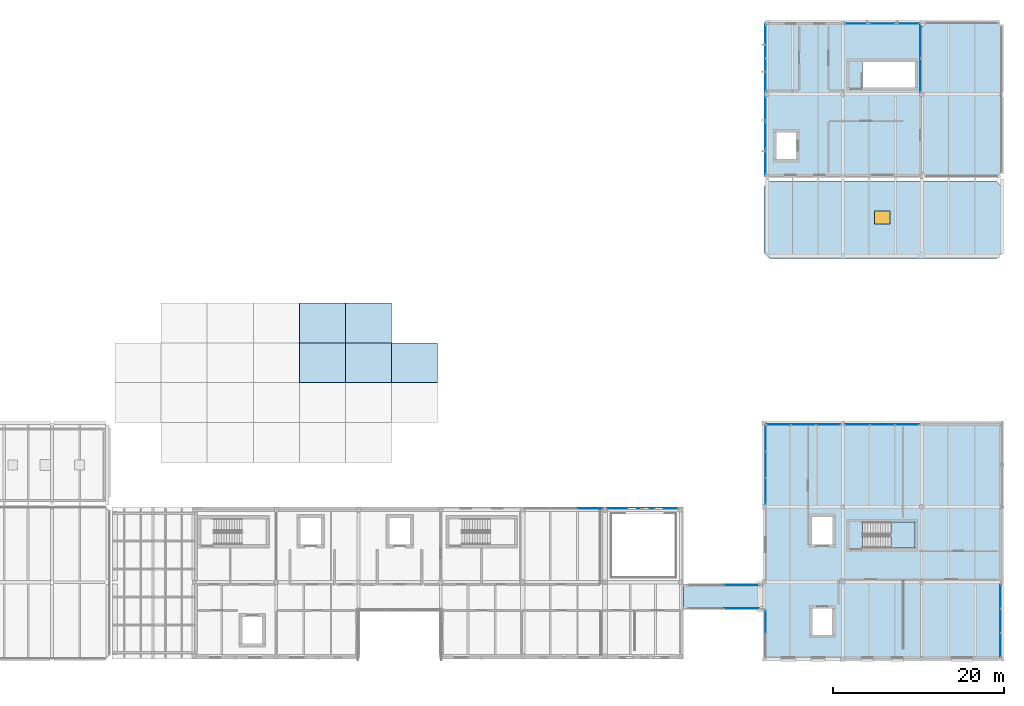
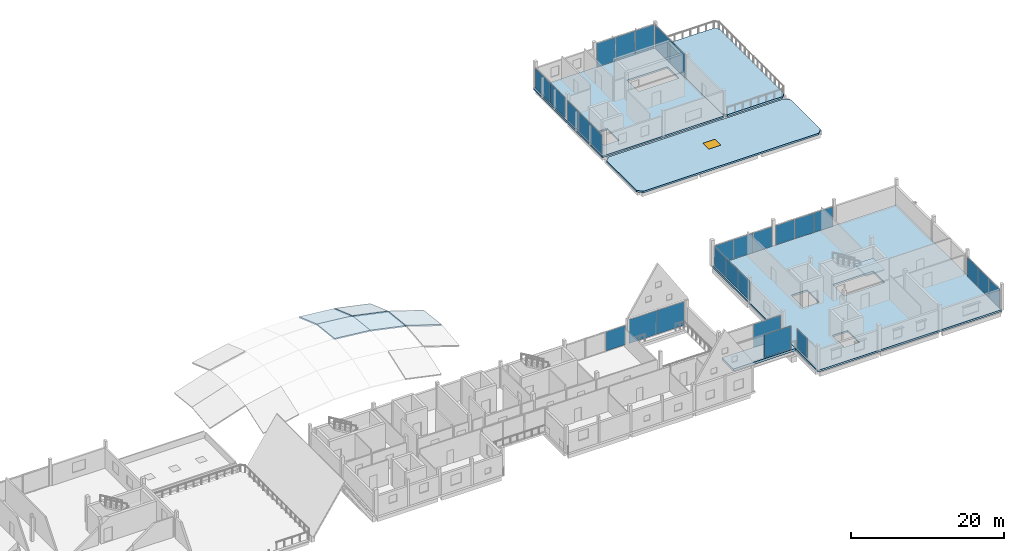
# One storey, part 16 of 35: 28 plates, 11 slabs, 1 window, 1 opening, 15 elements without a shape of their own.
"""IFC4 building model written with IfcOpenShell, lengths in metres."""

import ifcopenshell
import ifcopenshell.guid

model = None  # the IFC model being written
_history = None  # IfcOwnerHistory: only IFC2X3 demands one
_inside = {}  # id of a spatial element -> (the spatial element, [elements in it])
_under = {}  # id of a project, library or spatial element -> (it, [spatial elements below it])
_declared = {}  # id of a project -> (the project, [libraries it declares])
_typed = {}  # id of a type object -> (the type object, [elements of that type])
_made_of = {}  # id of a material, layer set ... -> (it, [elements and type objects made of it])


def new_model(schema):
    """Start an empty IFC model of exactly this schema.

    Asked for "IFC4X3", IfcOpenShell would pick the latest addendum, in which some entities
    have other attributes; the version numbers below select the first issue.
    IFC2X3 requires an IfcOwnerHistory on every rooted entity: one is made here for all.
    """
    global model, _history
    if schema == "IFC4X3":
        model = ifcopenshell.file(schema_version=(4, 3, 0, 0))
    else:
        model = ifcopenshell.file(schema=schema)
    _inside.clear()
    _under.clear()
    _declared.clear()
    _typed.clear()
    _made_of.clear()
    _history = None
    if model.schema == "IFC2X3":
        org = make("IfcOrganization", Name="unknown")
        user = make(
            "IfcPersonAndOrganization",
            ThePerson=make("IfcPerson", FamilyName="unknown"),
            TheOrganization=org,
        )
        app = make(
            "IfcApplication",
            ApplicationDeveloper=org,
            Version="unknown",
            ApplicationFullName="unknown",
            ApplicationIdentifier="unknown",
        )
        _history = make(
            "IfcOwnerHistory",
            OwningUser=user,
            OwningApplication=app,
            ChangeAction="ADDED",
            CreationDate=0,
        )
    return model


def make(cls, **values):
    """One entity of the class cls with the attributes given. An attribute that is None is left unset."""
    return model.create_entity(
        cls, **{name: value for name, value in values.items() if value is not None}
    )


def rooted(cls, **values):
    """An entity with a GlobalId (a new one), such as an element, a storey or a relation."""
    return make(cls, GlobalId=ifcopenshell.guid.new(), OwnerHistory=_history, **values)


def si_unit(unit_type, name, prefix=None):
    """IfcSIUnit, for example si_unit("LENGTHUNIT", "METRE", prefix="MILLI")."""
    return make("IfcSIUnit", UnitType=unit_type, Prefix=prefix, Name=name)


def assignment(units):
    """IfcUnitAssignment: the units of a project."""
    return None if units is None else make("IfcUnitAssignment", Units=units)


def point(xyz):
    """IfcCartesianPoint."""
    return None if xyz is None else make("IfcCartesianPoint", Coordinates=xyz)


def direction(xyz):
    """IfcDirection."""
    return None if xyz is None else make("IfcDirection", DirectionRatios=xyz)


def frame(location, z_axis=None, x_axis=None):
    """IfcAxis2Placement3D, a coordinate frame: its origin and axes. An axis left out is left unset."""
    return make(
        "IfcAxis2Placement3D",
        Location=point(location),
        Axis=direction(z_axis),
        RefDirection=direction(x_axis),
    )


def frame_2d(location, x_axis=None):
    """IfcAxis2Placement2D, a coordinate frame in the plane: its origin and x axis."""
    return make(
        "IfcAxis2Placement2D", Location=point(location), RefDirection=direction(x_axis)
    )


def origin():
    """The frame at (0, 0, 0) with its axes left unset."""
    return frame((0.0, 0.0, 0.0))


def origin_2d():
    """The frame at (0, 0) in the plane with its x axis left unset."""
    return frame_2d((0.0, 0.0))


def place(relative_to, where):
    """IfcLocalPlacement: puts the frame where relative to a parent placement (None: the world)."""
    return make(
        "IfcLocalPlacement", PlacementRelTo=relative_to, RelativePlacement=where
    )


def context(
    kind, dimensions, precision=None, world=None, true_north=None, identifier=None
):
    """IfcGeometricRepresentationContext, for example the 3D "Model" context."""
    return make(
        "IfcGeometricRepresentationContext",
        ContextIdentifier=identifier,
        ContextType=kind,
        CoordinateSpaceDimension=dimensions,
        Precision=precision,
        WorldCoordinateSystem=world,
        TrueNorth=true_north,
    )


def subcontext(parent, identifier, kind, view, scale=None):
    """IfcGeometricRepresentationSubContext, for example "Body" below "Model"."""
    return make(
        "IfcGeometricRepresentationSubContext",
        ContextIdentifier=identifier,
        ContextType=kind,
        ParentContext=parent,
        TargetScale=scale,
        TargetView=view,
    )


def project(units=None, contexts=None):
    """IfcProject with its units and contexts."""
    return rooted(
        "IfcProject",
        Name="project",
        RepresentationContexts=contexts,
        UnitsInContext=assignment(units),
    )


def spatial(cls, under=None, at=None, **own):
    """A site, building, storey or space (cls), placed at a placement, below another one or the project."""
    s = rooted(cls, ObjectPlacement=at, **own)
    if under is not None:
        _under.setdefault(under.id(), (under, []))[1].append(s)
    return s


def polyline(points):
    """IfcPolyline through the points."""
    return make("IfcPolyline", Points=[point(p) for p in points])


def profile(cls, at=None, kind="AREA", **sizes):
    """A parametric profile (cls). Its sizes go by their IFC names, for example OverallWidth=200.0."""
    return make(cls, ProfileType=kind, Position=at, **sizes)


def rectangle(**sizes):
    """IfcRectangleProfileDef."""
    return profile("IfcRectangleProfileDef", **sizes)


def outline(outer, holes=None, kind="AREA"):
    """IfcArbitraryClosedProfileDef: a profile drawn as a closed curve; with holes, ...WithVoids."""
    if holes is None:
        return make("IfcArbitraryClosedProfileDef", ProfileType=kind, OuterCurve=outer)
    return make(
        "IfcArbitraryProfileDefWithVoids",
        ProfileType=kind,
        OuterCurve=outer,
        InnerCurves=holes,
    )


def extrude(swept, where, along, depth):
    """IfcExtrudedAreaSolid: the profile swept, set in the frame where, extruded along a direction by depth."""
    return make(
        "IfcExtrudedAreaSolid",
        SweptArea=swept,
        Position=where,
        ExtrudedDirection=direction(along),
        Depth=depth,
    )


def shape(context_of_items, identifier, shape_type, items):
    """IfcShapeRepresentation: the items that make up one representation, for example the "Body"."""
    return make(
        "IfcShapeRepresentation",
        ContextOfItems=context_of_items,
        RepresentationIdentifier=identifier,
        RepresentationType=shape_type,
        Items=items,
    )


def material(Name=None, Category=None):
    """IfcMaterial."""
    return make("IfcMaterial", Name=Name, Category=Category)


def layer(
    of_material, thickness, ventilated=None, Name=None, Category=None, Priority=None
):
    """IfcMaterialLayer: one layer of a wall or slab, of a material (None: an air gap)."""
    return make(
        "IfcMaterialLayer",
        Material=of_material,
        LayerThickness=thickness,
        IsVentilated=ventilated,
        Name=Name,
        Category=Category,
        Priority=Priority,
    )


def layer_set(layers, Name=None):
    """IfcMaterialLayerSet."""
    return make("IfcMaterialLayerSet", MaterialLayers=layers, LayerSetName=Name)


def made_of(thing, what):
    """Note that an element or type object is made of a material, layer set ...; save() writes the relation."""
    if what is not None:
        _made_of.setdefault(what.id(), (what, []))[1].append(thing)
    return thing


def type_object(cls, material=None, **own):
    """A type object (cls), such as IfcWallType, which elements share."""
    return made_of(rooted(cls, **own), material)


def element(
    cls,
    number,
    at=None,
    inside=None,
    cuts=None,
    type_object=None,
    material=None,
    context=None,
    identifier="Body",
    shape_type=None,
    held_by="IfcProductDefinitionShape",
    body=None,
    shapes=None,
    **own,
):
    """One element of the class cls, such as IfcWall. Its Tag is "e" and its number.

    at: its placement. inside: the storey or other place that contains it. cuts: it is an
    opening in that element (IfcRelVoidsElement). A single representation is given by context,
    identifier, shape_type and body (its items); several are given by shapes. held_by: the class
    of the entity that holds the representations. save() writes the other relations.
    """
    e = rooted(cls, Tag="e%d" % number, ObjectPlacement=at, **own)
    if body is not None:
        shapes = [shape(context, identifier, shape_type, body)]
    if shapes is not None:
        e.Representation = make(held_by, Representations=shapes)
    if inside is not None:
        _inside.setdefault(inside.id(), (inside, []))[1].append(e)
    if cuts is not None:
        rooted(
            "IfcRelVoidsElement", RelatingBuildingElement=cuts, RelatedOpeningElement=e
        )
    if type_object is not None:
        _typed.setdefault(type_object.id(), (type_object, []))[1].append(e)
    return made_of(e, material)


def fill(opening, filler):
    """IfcRelFillsElement: the door or window that sits in an opening."""
    return rooted(
        "IfcRelFillsElement",
        RelatingOpeningElement=opening,
        RelatedBuildingElement=filler,
    )


def aggregate(whole, parts):
    """IfcRelAggregates: a whole, such as a stair, and the parts it consists of."""
    return rooted("IfcRelAggregates", RelatingObject=whole, RelatedObjects=parts)


def save(model, path):
    """Write the relations noted so far, then the file.

    IfcRelAggregates (storeys below a building ...), IfcRelContainedInSpatialStructure (elements
    in a storey), IfcRelDefinesByType, IfcRelAssociatesMaterial and IfcRelDeclares: one each for
    every whole, place, type object, material and project.
    """
    for whole, parts in _under.values():
        aggregate(whole, parts)
    for where, things in _inside.values():
        rooted(
            "IfcRelContainedInSpatialStructure",
            RelatedElements=things,
            RelatingStructure=where,
        )
    for kind, things in _typed.values():
        rooted("IfcRelDefinesByType", RelatedObjects=things, RelatingType=kind)
    for what, things in _made_of.values():
        rooted("IfcRelAssociatesMaterial", RelatedObjects=things, RelatingMaterial=what)
    for by, libraries in _declared.values():
        rooted("IfcRelDeclares", RelatingContext=by, RelatedDefinitions=libraries)
    model.write(path)


model = new_model("IFC4")

# Units and contexts
model_context = context("Model", 3, precision=1e-05, world=origin(), true_north=direction((0.0, 1.0)))
body_context = subcontext(model_context, "Body", "Model", "MODEL_VIEW")
ifc_project = project(units=[si_unit("LENGTHUNIT", "METRE"), si_unit("AREAUNIT", "SQUARE_METRE"), si_unit("VOLUMEUNIT", "CUBIC_METRE"), si_unit("PLANEANGLEUNIT", "RADIAN"), si_unit("MASSUNIT", "GRAM", prefix="KILO")], contexts=[model_context])

# Site, building, storey
site_placement = place(None, origin())
site = spatial("IfcSite", under=ifc_project, at=site_placement, CompositionType="ELEMENT")
building_placement = place(site_placement, origin())
building = spatial("IfcBuilding", under=site, at=building_placement, Name="Birchvale Park Specialist Clinic", CompositionType="ELEMENT")
storey_placement = place(building_placement, frame((0.0, 0.0, 13.800048828125)))
storey = spatial("IfcBuildingStorey", under=building, at=storey_placement, Name="L03", CompositionType="ELEMENT", Elevation=13.800048828125)

# Curtain wall, plates
ifc_material_1 = material(Name="Thermally broken anodised aluminium", Category="aluminium")
ifc_layer_1 = layer(ifc_material_1, 0.179931640625)
ifc_layer_set_1 = layer_set([ifc_layer_1], Name="Thermally broken anodised aluminium")
curtain_wall_type_1 = type_object("IfcCurtainWallType", Name="CW-U1", PredefinedType="USERDEFINED", material=ifc_layer_set_1)
curtain_wall_1_placement = place(storey_placement, origin())
curtain_wall_1 = element("IfcCurtainWall", 1, at=curtain_wall_1_placement, inside=storey, type_object=curtain_wall_type_1, Name="V4 L03 glazed curtain wall 123", ObjectType="UNITISED", PredefinedType="USERDEFINED")
ifc_material_2 = material(Name="Solar-control low-E double glazing", Category="glass")
ifc_layer_2 = layer(ifc_material_2, 0.028076171875)
ifc_layer_set_2 = layer_set([ifc_layer_2], Name="Solar-control low-E double glazing")
plate_type_1 = type_object("IfcPlateType", Name="CWP1", PredefinedType="CURTAIN_PANEL", material=ifc_layer_set_2)
plate_1_placement = place(storey_placement, frame((115.888671875, 34.409912109375, 0.06005859375), z_axis=(0.0, 0.0, 1.0), x_axis=(-1.0, 0.0, 0.0)))
plate_1 = element("IfcPlate", 2, at=plate_1_placement, type_object=plate_type_1, Name="CW panel 1.1", PredefinedType="CURTAIN_PANEL", context=body_context, shape_type="SweptSolid", body=[
    extrude(rectangle(XDim=4.12255859375, YDim=0.028076171875, at=origin_2d()), origin(), (0.0, 0.0, 1.0), 3.800048828125),
])
plate_2_placement = place(storey_placement, frame((111.706298828125, 34.409912109375, 0.06005859375), z_axis=(0.0, 0.0, 1.0), x_axis=(-1.0, 0.0, 0.0)))
plate_2 = element("IfcPlate", 3, at=plate_2_placement, type_object=plate_type_1, Name="CW panel 2.1", PredefinedType="CURTAIN_PANEL", context=body_context, shape_type="SweptSolid", body=[
    extrude(rectangle(XDim=4.12255859375, YDim=0.028076171875, at=origin_2d()), origin(), (0.0, 0.0, 1.0), 3.800048828125),
])
aggregate(curtain_wall_1, [plate_1, plate_2])

# Curtain wall, plate
curtain_wall_2_placement = place(storey_placement, origin())
curtain_wall_2 = element("IfcCurtainWall", 4, at=curtain_wall_2_placement, inside=storey, type_object=curtain_wall_type_1, Name="V4 L03 glazed curtain wall 124", ObjectType="UNITISED", PredefinedType="USERDEFINED")
plate_3_placement = place(storey_placement, frame((107.66162109375, 34.409912109375, 0.06005859375), z_axis=(0.0, 0.0, 1.0), x_axis=(-1.0, 0.0, 0.0)))
plate_3 = element("IfcPlate", 5, at=plate_3_placement, type_object=plate_type_1, Name="CW panel 1.1", PredefinedType="CURTAIN_PANEL", context=body_context, shape_type="SweptSolid", body=[
    extrude(rectangle(XDim=2.986572265625, YDim=0.028076171875, at=origin_2d()), origin(), (0.0, 0.0, 1.0), 3.06494140625),
])
aggregate(curtain_wall_2, [plate_3])

# Curtain wall, plates
ifc_layer_3 = layer(ifc_material_1, 0.195068359375)
ifc_layer_set_3 = layer_set([ifc_layer_3], Name="Thermally broken anodised aluminium")
curtain_wall_type_2 = type_object("IfcCurtainWallType", Name="CW-U2", PredefinedType="USERDEFINED", material=ifc_layer_set_3)
curtain_wall_3_placement = place(storey_placement, origin())
curtain_wall_3 = element("IfcCurtainWall", 6, at=curtain_wall_3_placement, inside=storey, type_object=curtain_wall_type_2, Name="V5 L03 glazed curtain wall 125", ObjectType="UNITISED", PredefinedType="USERDEFINED")
ifc_layer_4 = layer(ifc_material_2, 0.031982421875)
ifc_layer_set_4 = layer_set([ifc_layer_4], Name="Solar-control low-E double glazing")
plate_type_2 = type_object("IfcPlateType", Name="CWP2", PredefinedType="CURTAIN_PANEL", material=ifc_layer_set_4)
plate_4_placement = place(storey_placement, frame((155.625, 18.4453125, 0.06494140625), z_axis=(0.0, 0.0, 1.0), x_axis=(0.0, 1.0, 0.0)))
plate_4 = element("IfcPlate", 7, at=plate_4_placement, type_object=plate_type_2, Name="CW panel 1.1", PredefinedType="CURTAIN_PANEL", context=body_context, shape_type="SweptSolid", body=[
    extrude(rectangle(XDim=2.7607421875, YDim=0.031982421875, at=origin_2d()), origin(), (0.0, 0.0, 1.0), 3.10498046875),
])
plate_5_placement = place(storey_placement, frame((155.625, 21.28759765625, 0.06494140625), z_axis=(0.0, 0.0, 1.0), x_axis=(0.0, 1.0, 0.0)))
plate_5 = element("IfcPlate", 8, at=plate_5_placement, type_object=plate_type_2, Name="CW panel 2.1", PredefinedType="CURTAIN_PANEL", context=body_context, shape_type="SweptSolid", body=[
    extrude(rectangle(XDim=2.793212890625, YDim=0.031982421875, at=origin_2d()), origin(), (0.0, 0.0, 1.0), 3.10498046875),
])
plate_6_placement = place(storey_placement, frame((155.625, 24.129638671875, 0.06494140625), z_axis=(0.0, 0.0, 1.0), x_axis=(0.0, 1.0, 0.0)))
plate_6 = element("IfcPlate", 9, at=plate_6_placement, type_object=plate_type_2, Name="CW panel 3.1", PredefinedType="CURTAIN_PANEL", context=body_context, shape_type="SweptSolid", body=[
    extrude(rectangle(XDim=2.7607421875, YDim=0.031982421875, at=origin_2d()), origin(), (0.0, 0.0, 1.0), 3.10498046875),
])
aggregate(curtain_wall_3, [plate_4, plate_5, plate_6])

curtain_wall_4_placement = place(storey_placement, origin())
curtain_wall_4 = element("IfcCurtainWall", 10, at=curtain_wall_4_placement, inside=storey, type_object=curtain_wall_type_2, Name="V5 L03 glazed curtain wall 126", ObjectType="UNITISED", PredefinedType="USERDEFINED")
plate_7_placement = place(storey_placement, frame((144.72119140625, 44.22509765625, 0.06494140625), z_axis=(0.0, 0.0, 1.0), x_axis=(-1.0, 0.0, 0.0)))
plate_7 = element("IfcPlate", 11, at=plate_7_placement, type_object=plate_type_2, Name="CW panel 1.1", PredefinedType="CURTAIN_PANEL", context=body_context, shape_type="SweptSolid", body=[
    extrude(rectangle(XDim=2.827392578125, YDim=0.031982421875, at=origin_2d()), origin(), (0.0, 0.0, 1.0), 3.1298828125),
])
plate_8_placement = place(storey_placement, frame((141.8125, 44.22509765625, 0.06494140625), z_axis=(0.0, 0.0, 1.0), x_axis=(-1.0, 0.0, 0.0)))
plate_8 = element("IfcPlate", 12, at=plate_8_placement, type_object=plate_type_2, Name="CW panel 2.1", PredefinedType="CURTAIN_PANEL", context=body_context, shape_type="SweptSolid", body=[
    extrude(rectangle(XDim=2.860107421875, YDim=0.031982421875, at=origin_2d()), origin(), (0.0, 0.0, 1.0), 3.1298828125),
])
plate_9_placement = place(storey_placement, frame((138.90380859375, 44.22509765625, 0.06494140625), z_axis=(0.0, 0.0, 1.0), x_axis=(-1.0, 0.0, 0.0)))
plate_9 = element("IfcPlate", 13, at=plate_9_placement, type_object=plate_type_2, Name="CW panel 3.1", PredefinedType="CURTAIN_PANEL", context=body_context, shape_type="SweptSolid", body=[
    extrude(rectangle(XDim=2.827392578125, YDim=0.031982421875, at=origin_2d()), origin(), (0.0, 0.0, 1.0), 3.1298828125),
])
aggregate(curtain_wall_4, [plate_7, plate_8, plate_9])

curtain_wall_5_placement = place(storey_placement, origin())
curtain_wall_5 = element("IfcCurtainWall", 14, at=curtain_wall_5_placement, inside=storey, type_object=curtain_wall_type_2, Name="V5 L03 glazed curtain wall 127", ObjectType="UNITISED", PredefinedType="USERDEFINED")
plate_10_placement = place(storey_placement, frame((135.504638671875, 44.22509765625, 0.06494140625), z_axis=(0.0, 0.0, 1.0), x_axis=(-1.0, 0.0, 0.0)))
plate_10 = element("IfcPlate", 15, at=plate_10_placement, type_object=plate_type_2, Name="CW panel 1.1", PredefinedType="CURTAIN_PANEL", context=body_context, shape_type="SweptSolid", body=[
    extrude(rectangle(XDim=2.810791015625, YDim=0.031982421875, at=origin_2d()), origin(), (0.0, 0.0, 1.0), 3.1298828125),
])
plate_11_placement = place(storey_placement, frame((132.612548828125, 44.22509765625, 0.06494140625), z_axis=(0.0, 0.0, 1.0), x_axis=(-1.0, 0.0, 0.0)))
plate_11 = element("IfcPlate", 16, at=plate_11_placement, type_object=plate_type_2, Name="CW panel 2.1", PredefinedType="CURTAIN_PANEL", context=body_context, shape_type="SweptSolid", body=[
    extrude(rectangle(XDim=2.84326171875, YDim=0.031982421875, at=origin_2d()), origin(), (0.0, 0.0, 1.0), 3.1298828125),
])
plate_12_placement = place(storey_placement, frame((129.720458984375, 44.22509765625, 0.06494140625), z_axis=(0.0, 0.0, 1.0), x_axis=(-1.0, 0.0, 0.0)))
plate_12 = element("IfcPlate", 17, at=plate_12_placement, type_object=plate_type_2, Name="CW panel 3.1", PredefinedType="CURTAIN_PANEL", context=body_context, shape_type="SweptSolid", body=[
    extrude(rectangle(XDim=2.810791015625, YDim=0.031982421875, at=origin_2d()), origin(), (0.0, 0.0, 1.0), 3.1298828125),
])
aggregate(curtain_wall_5, [plate_10, plate_11, plate_12])

curtain_wall_6_placement = place(storey_placement, origin())
curtain_wall_6 = element("IfcCurtainWall", 18, at=curtain_wall_6_placement, inside=storey, type_object=curtain_wall_type_2, Name="V5 L03 glazed curtain wall 128", ObjectType="UNITISED", PredefinedType="USERDEFINED")
plate_13_placement = place(storey_placement, frame((128.175048828125, 42.583740234375, 0.06494140625), z_axis=(0.0, 0.0, 1.0), x_axis=(0.0, -1.0, 0.0)))
plate_13 = element("IfcPlate", 19, at=plate_13_placement, type_object=plate_type_2, Name="CW panel 1.1", PredefinedType="CURTAIN_PANEL", context=body_context, shape_type="SweptSolid", body=[
    extrude(rectangle(XDim=3.00244140625, YDim=0.031982421875, at=origin_2d()), origin(), (0.0, 0.0, 1.0), 3.139892578125),
])
plate_14_placement = place(storey_placement, frame((128.175048828125, 39.5, 0.06494140625), z_axis=(0.0, 0.0, 1.0), x_axis=(0.0, -1.0, 0.0)))
plate_14 = element("IfcPlate", 20, at=plate_14_placement, type_object=plate_type_2, Name="CW panel 2.1", PredefinedType="CURTAIN_PANEL", context=body_context, shape_type="SweptSolid", body=[
    extrude(rectangle(XDim=3.034912109375, YDim=0.031982421875, at=origin_2d()), origin(), (0.0, 0.0, 1.0), 3.139892578125),
])
plate_15_placement = place(storey_placement, frame((128.175048828125, 36.416259765625, 0.06494140625), z_axis=(0.0, 0.0, 1.0), x_axis=(0.0, -1.0, 0.0)))
plate_15 = element("IfcPlate", 21, at=plate_15_placement, type_object=plate_type_2, Name="CW panel 3.1", PredefinedType="CURTAIN_PANEL", context=body_context, shape_type="SweptSolid", body=[
    extrude(rectangle(XDim=3.00244140625, YDim=0.031982421875, at=origin_2d()), origin(), (0.0, 0.0, 1.0), 3.139892578125),
])
aggregate(curtain_wall_6, [plate_13, plate_14, plate_15])

# Curtain wall, plate
curtain_wall_7_placement = place(storey_placement, origin())
curtain_wall_7 = element("IfcCurtainWall", 22, at=curtain_wall_7_placement, inside=storey, type_object=curtain_wall_type_2, Name="V5 L03 glazed curtain wall 129", ObjectType="UNITISED", PredefinedType="USERDEFINED")
plate_16_placement = place(storey_placement, frame((128.175048828125, 21.152587890625, 0.06494140625), z_axis=(0.0, 0.0, 1.0), x_axis=(0.0, -1.0, 0.0)))
plate_16 = element("IfcPlate", 23, at=plate_16_placement, type_object=plate_type_2, Name="CW panel 1.1", PredefinedType="CURTAIN_PANEL", context=body_context, shape_type="SweptSolid", body=[
    extrude(rectangle(XDim=2.6650390625, YDim=0.031982421875, at=origin_2d()), origin(), (0.0, 0.0, 1.0), 3.135009765625),
])
aggregate(curtain_wall_7, [plate_16])

ifc_layer_5 = layer(ifc_material_1, 0.14990234375)
ifc_layer_set_5 = layer_set([ifc_layer_5], Name="Thermally broken anodised aluminium")
curtain_wall_type_3 = type_object("IfcCurtainWallType", Name="CW-S2", PredefinedType="USERDEFINED", material=ifc_layer_set_5)
curtain_wall_8_placement = place(storey_placement, origin())
curtain_wall_8 = element("IfcCurtainWall", 24, at=curtain_wall_8_placement, inside=storey, type_object=curtain_wall_type_3, Name="V4 L03 glazed curtain wall 155", ObjectType="STICK", PredefinedType="USERDEFINED")
plate_17_placement = place(storey_placement, frame((125.360107421875, 22.719970703125, 0.06494140625), z_axis=(0.0, 0.0, 1.0), x_axis=(1.0, 0.0, 0.0)))
plate_17 = element("IfcPlate", 25, at=plate_17_placement, type_object=plate_type_2, Name="CW panel 2.1", PredefinedType="CURTAIN_PANEL", context=body_context, shape_type="SweptSolid", body=[
    extrude(rectangle(XDim=4.06005859375, YDim=0.031982421875, at=origin_2d()), origin(), (0.0, 0.0, 1.0), 3.68994140625),
])
aggregate(curtain_wall_8, [plate_17])

curtain_wall_9_placement = place(storey_placement, origin())
curtain_wall_9 = element("IfcCurtainWall", 26, at=curtain_wall_9_placement, inside=storey, type_object=curtain_wall_type_3, Name="V4 L03 glazed curtain wall 156", ObjectType="STICK", PredefinedType="USERDEFINED")
plate_18_placement = place(storey_placement, frame((125.360107421875, 25.47998046875, 0.06494140625), z_axis=(0.0, 0.0, 1.0), x_axis=(-1.0, 0.0, 0.0)))
plate_18 = element("IfcPlate", 27, at=plate_18_placement, type_object=plate_type_2, Name="CW panel 1.1", PredefinedType="CURTAIN_PANEL", context=body_context, shape_type="SweptSolid", body=[
    extrude(rectangle(XDim=4.06005859375, YDim=0.031982421875, at=origin_2d()), origin(), (0.0, 0.0, 1.0), 3.68994140625),
])
aggregate(curtain_wall_9, [plate_18])

# Curtain wall, plates
ifc_layer_6 = layer(ifc_material_1, 0.2099609375)
ifc_layer_set_6 = layer_set([ifc_layer_6], Name="Thermally broken anodised aluminium")
curtain_wall_type_4 = type_object("IfcCurtainWallType", Name="CW-U3", PredefinedType="USERDEFINED", material=ifc_layer_set_6)
curtain_wall_10_placement = place(storey_placement, origin())
curtain_wall_10 = element("IfcCurtainWall", 28, at=curtain_wall_10_placement, inside=storey, type_object=curtain_wall_type_4, Name="V6 L03 glazed curtain wall 130", ObjectType="UNITISED", PredefinedType="USERDEFINED")
ifc_layer_7 = layer(ifc_material_2, 0.035888671875)
ifc_layer_set_7 = layer_set([ifc_layer_7], Name="Solar-control low-E double glazing")
plate_type_3 = type_object("IfcPlateType", Name="CWP3", PredefinedType="CURTAIN_PANEL", material=ifc_layer_set_7)
plate_19_placement = place(storey_placement, frame((146.2548828125, 85.054931640625, 0.06982421875), z_axis=(0.0, 0.0, 1.0), x_axis=(0.0, 1.0, 0.0)))
plate_19 = element("IfcPlate", 29, at=plate_19_placement, type_object=plate_type_3, Name="CW panel 1.1", PredefinedType="CURTAIN_PANEL", context=body_context, shape_type="SweptSolid", body=[
    extrude(rectangle(XDim=3.8701171875, YDim=0.035888671875, at=origin_2d()), origin(), (0.0, 0.0, 1.0), 3.780029296875),
])
plate_20_placement = place(storey_placement, frame((146.2548828125, 88.9951171875, 0.06982421875), z_axis=(0.0, 0.0, 1.0), x_axis=(0.0, 1.0, 0.0)))
plate_20 = element("IfcPlate", 30, at=plate_20_placement, type_object=plate_type_3, Name="CW panel 2.1", PredefinedType="CURTAIN_PANEL", context=body_context, shape_type="SweptSolid", body=[
    extrude(rectangle(XDim=3.8701171875, YDim=0.035888671875, at=origin_2d()), origin(), (0.0, 0.0, 1.0), 3.780029296875),
])
aggregate(curtain_wall_10, [plate_19, plate_20])

curtain_wall_11_placement = place(storey_placement, origin())
curtain_wall_11 = element("IfcCurtainWall", 31, at=curtain_wall_11_placement, inside=storey, type_object=curtain_wall_type_4, Name="V6 L03 glazed curtain wall 131", ObjectType="UNITISED", PredefinedType="USERDEFINED")
plate_21_placement = place(storey_placement, frame((144.719970703125, 91.054931640625, 0.06982421875), z_axis=(0.0, 0.0, 1.0), x_axis=(-1.0, 0.0, 0.0)))
plate_21 = element("IfcPlate", 32, at=plate_21_placement, type_object=plate_type_3, Name="CW panel 1.1", PredefinedType="CURTAIN_PANEL", context=body_context, shape_type="SweptSolid", body=[
    extrude(rectangle(XDim=2.820068359375, YDim=0.035888671875, at=origin_2d()), origin(), (0.0, 0.0, 1.0), 3.780029296875),
])
plate_22_placement = place(storey_placement, frame((141.8125, 91.054931640625, 0.06982421875), z_axis=(0.0, 0.0, 1.0), x_axis=(-1.0, 0.0, 0.0)))
plate_22 = element("IfcPlate", 33, at=plate_22_placement, type_object=plate_type_3, Name="CW panel 2.1", PredefinedType="CURTAIN_PANEL", context=body_context, shape_type="SweptSolid", body=[
    extrude(rectangle(XDim=2.85498046875, YDim=0.035888671875, at=origin_2d()), origin(), (0.0, 0.0, 1.0), 3.780029296875),
])
plate_23_placement = place(storey_placement, frame((138.905029296875, 91.054931640625, 0.06982421875), z_axis=(0.0, 0.0, 1.0), x_axis=(-1.0, 0.0, 0.0)))
plate_23 = element("IfcPlate", 34, at=plate_23_placement, type_object=plate_type_3, Name="CW panel 3.1", PredefinedType="CURTAIN_PANEL", context=body_context, shape_type="SweptSolid", body=[
    extrude(rectangle(XDim=2.820068359375, YDim=0.035888671875, at=origin_2d()), origin(), (0.0, 0.0, 1.0), 3.780029296875),
])
aggregate(curtain_wall_11, [plate_21, plate_22, plate_23])

curtain_wall_12_placement = place(storey_placement, origin())
curtain_wall_12 = element("IfcCurtainWall", 35, at=curtain_wall_12_placement, inside=storey, type_object=curtain_wall_type_4, Name="V6 L03 glazed curtain wall 132", ObjectType="UNITISED", PredefinedType="USERDEFINED")
plate_24_placement = place(storey_placement, frame((128.14501953125, 88.967529296875, 0.070068359375), z_axis=(0.0, 0.0, 1.0), x_axis=(0.0, -1.0, 0.0)))
plate_24 = element("IfcPlate", 36, at=plate_24_placement, type_object=plate_type_3, Name="CW panel 1.1", PredefinedType="CURTAIN_PANEL", context=body_context, shape_type="SweptSolid", body=[
    extrude(rectangle(XDim=3.844970703125, YDim=0.035888671875, at=origin_2d()), origin(), (0.0, 0.0, 1.0), 3.22998046875),
])
plate_25_placement = place(storey_placement, frame((128.14501953125, 85.052490234375, 0.070068359375), z_axis=(0.0, 0.0, 1.0), x_axis=(0.0, -1.0, 0.0)))
plate_25 = element("IfcPlate", 37, at=plate_25_placement, type_object=plate_type_3, Name="CW panel 2.1", PredefinedType="CURTAIN_PANEL", context=body_context, shape_type="SweptSolid", body=[
    extrude(rectangle(XDim=3.844970703125, YDim=0.035888671875, at=origin_2d()), origin(), (0.0, 0.0, 1.0), 3.22998046875),
])
aggregate(curtain_wall_12, [plate_24, plate_25])

curtain_wall_13_placement = place(storey_placement, origin())
curtain_wall_13 = element("IfcCurtainWall", 38, at=curtain_wall_13_placement, inside=storey, type_object=curtain_wall_type_4, Name="V6 L03 glazed curtain wall 133", ObjectType="UNITISED", PredefinedType="USERDEFINED")
plate_26_placement = place(storey_placement, frame((128.14501953125, 81.001708984375, 0.070068359375), z_axis=(0.0, 0.0, 1.0), x_axis=(0.0, -1.0, 0.0)))
plate_26 = element("IfcPlate", 39, at=plate_26_placement, type_object=plate_type_3, Name="CW panel 1.1", PredefinedType="CURTAIN_PANEL", context=body_context, shape_type="SweptSolid", body=[
    extrude(rectangle(XDim=2.936767578125, YDim=0.035888671875, at=origin_2d()), origin(), (0.0, 0.0, 1.0), 3.1298828125),
])
plate_27_placement = place(storey_placement, frame((128.14501953125, 77.9775390625, 0.070068359375), z_axis=(0.0, 0.0, 1.0), x_axis=(0.0, -1.0, 0.0)))
plate_27 = element("IfcPlate", 40, at=plate_27_placement, type_object=plate_type_3, Name="CW panel 2.1", PredefinedType="CURTAIN_PANEL", context=body_context, shape_type="SweptSolid", body=[
    extrude(rectangle(XDim=2.9716796875, YDim=0.035888671875, at=origin_2d()), origin(), (0.0, 0.0, 1.0), 3.1298828125),
])
plate_28_placement = place(storey_placement, frame((128.14501953125, 74.953369140625, 0.070068359375), z_axis=(0.0, 0.0, 1.0), x_axis=(0.0, -1.0, 0.0)))
plate_28 = element("IfcPlate", 41, at=plate_28_placement, type_object=plate_type_3, Name="CW panel 3.1", PredefinedType="CURTAIN_PANEL", context=body_context, shape_type="SweptSolid", body=[
    extrude(rectangle(XDim=2.936767578125, YDim=0.035888671875, at=origin_2d()), origin(), (0.0, 0.0, 1.0), 3.1298828125),
])
aggregate(curtain_wall_13, [plate_26, plate_27, plate_28])

# Slabs
ifc_material_3 = material(Name="Concrete C35/45", Category="concrete")
ifc_layer_8 = layer(ifc_material_3, 0.31005859375)
ifc_layer_set_8 = layer_set([ifc_layer_8], Name="Concrete C35/45")
slab_type_1 = type_object("IfcSlabType", Name="SLB-ES1", PredefinedType="FLOOR", material=ifc_layer_set_8)
slab_1_placement = place(storey_placement, frame((0.0, 0.0, -0.31005859375)))
element("IfcSlab", 42, at=slab_1_placement, inside=storey, type_object=slab_type_1, Name="V6 L03 outdoor terrace slab 1", PredefinedType="FLOOR", context=body_context, shape_type="SweptSolid", body=[
    extrude(outline(polyline([(146.949951171875, 73.199951171875), (155.25, 73.199951171875), (155.800048828125, 73.75), (155.800048828125, 90.64990234375), (155.25, 91.199951171875), (146.949951171875, 91.199951171875), (146.39990234375, 90.64990234375), (146.39990234375, 73.75), (146.949951171875, 73.199951171875)])), origin(), (0.0, 0.0, 1.0), 0.31005859375),
])
ifc_layer_9 = layer(ifc_material_3, 0.280029296875)
ifc_layer_set_9 = layer_set([ifc_layer_9], Name="Concrete C35/45")
slab_type_2 = type_object("IfcSlabType", Name="SLB-FS4", PredefinedType="FLOOR", material=ifc_layer_set_9)
slab_2_placement = place(storey_placement, frame((0.0, 0.0, -0.280029296875)))
element("IfcSlab", 43, at=slab_2_placement, inside=storey, type_object=slab_type_2, Name="V5 L03 structural slab 1", PredefinedType="FLOOR", context=body_context, shape_type="SweptSolid", body=[
    extrude(outline(polyline([(128.0, 16.800048828125), (155.800048828125, 16.800048828125), (155.800048828125, 44.39990234375), (128.0, 44.39990234375), (128.0, 16.800048828125)]), holes=[polyline([(139.5048828125, 29.800048828125), (145.60009765625, 29.800048828125), (145.60009765625, 32.800048828125), (139.5048828125, 32.800048828125), (139.5048828125, 29.800048828125)]), polyline([(133.64990234375, 19.64990234375), (135.949951171875, 19.64990234375), (135.949951171875, 22.75), (133.64990234375, 22.75), (133.64990234375, 19.64990234375)]), polyline([(133.60009765625, 30.199951171875), (136.0, 30.199951171875), (136.0, 33.39990234375), (133.60009765625, 33.39990234375), (133.60009765625, 30.199951171875)])]), origin(), (0.0, 0.0, 1.0), 0.280029296875),
])
slab_3_placement = place(storey_placement, frame((0.0, 0.0, -0.280029296875)))
element("IfcSlab", 44, at=slab_3_placement, inside=storey, type_object=slab_type_2, Name="V6 L03 structural slab 1", PredefinedType="FLOOR", context=body_context, shape_type="SweptSolid", body=[
    extrude(outline(polyline([(128.0, 73.199951171875), (146.39990234375, 73.199951171875), (146.39990234375, 91.199951171875), (128.0, 91.199951171875), (128.0, 73.199951171875)]), holes=[polyline([(139.5048828125, 83.60009765625), (145.60009765625, 83.60009765625), (145.60009765625, 86.60009765625), (139.5048828125, 86.60009765625), (139.5048828125, 83.60009765625)]), polyline([(129.449951171875, 75.25), (131.75, 75.25), (131.75, 78.35009765625), (129.449951171875, 78.35009765625), (129.449951171875, 75.25)])]), origin(), (0.0, 0.0, 1.0), 0.280029296875),
])
ifc_layer_10 = layer(ifc_material_3, 0.364990234375)
ifc_layer_set_10 = layer_set([ifc_layer_10], Name="Concrete C35/45")
slab_type_3 = type_object("IfcSlabType", Name="SLB-FS6", PredefinedType="FLOOR", material=ifc_layer_set_10)
slab_4_placement = place(storey_placement, frame((0.0, 0.0, -0.364990234375)))
element("IfcSlab", 45, at=slab_4_placement, inside=storey, type_object=slab_type_3, Name="L03 seismic link bridge deck BRG-3", PredefinedType="FLOOR", context=body_context, shape_type="SweptSolid", body=[
    extrude(outline(polyline([(118.60009765625, 22.60009765625), (128.0, 22.60009765625), (128.0, 25.60009765625), (118.60009765625, 25.60009765625), (118.60009765625, 22.60009765625)])), origin(), (0.0, 0.0, 1.0), 0.364990234375),
])

# Stair, slab
stair_type = type_object("IfcStairType", Name="ST-H42", PredefinedType="HALF_TURN_STAIR", material=ifc_material_3)
stair_placement = place(storey_placement, origin())
stair = element("IfcStair", 46, at=stair_placement, inside=storey, type_object=stair_type, Name="L03 Protected exit stair ST6", PredefinedType="HALF_TURN_STAIR")
ifc_layer_11 = layer(ifc_material_3, 0.199951171875)
ifc_layer_set_11 = layer_set([ifc_layer_11], Name="Concrete C35/45")
slab_type_4 = type_object("IfcSlabType", Name="SLB-LND1", PredefinedType="LANDING", material=ifc_layer_set_11)
slab_5_placement = place(storey_placement, frame((0.0, 0.0, 1.89990234375)))
slab_5 = element("IfcSlab", 47, at=slab_5_placement, type_object=slab_type_4, Name="ST6 landing 1", PredefinedType="LANDING", context=body_context, shape_type="SweptSolid", body=[
    extrude(outline(polyline([(142.800048828125, 29.800048828125), (145.60009765625, 29.800048828125), (145.60009765625, 32.800048828125), (142.800048828125, 32.800048828125), (142.800048828125, 29.800048828125)])), origin(), (0.0, 0.0, 1.0), 0.199951171875),
])
aggregate(stair, [slab_5])

# Roof, slabs
ifc_material_4 = material(Name="Glulam GL28h", Category="wood")
roof_type = type_object("IfcRoofType", Name="ROOF-SHL1", PredefinedType="BARREL_ROOF", material=ifc_material_4)
roof_placement = place(storey_placement, origin())
roof = element("IfcRoof", 48, at=roof_placement, inside=storey, type_object=roof_type, Name="V1 translational glulam-and-steel gridshell roof (L03)", PredefinedType="BARREL_ROOF")
ifc_layer_12 = layer(ifc_material_3, 0.179931640625)
ifc_layer_set_12 = layer_set([ifc_layer_12], Name="Concrete C35/45")
slab_type_5 = type_object("IfcSlabType", Name="SLB-RS3", PredefinedType="ROOF", material=ifc_layer_set_12)
slab_6_placement = place(storey_placement, frame((73.69287109375, 49.10009765625, 4.5302734375), z_axis=(0.103111860249, 0.110190391394, 0.988547430284), x_axis=(0.994604073977, 0.0, -0.103743607172)))
slab_6 = element("IfcSlab", 49, at=slab_6_placement, type_object=slab_type_5, Name="V1 gridshell planar roof cassette 28", PredefinedType="ROOF", context=body_context, shape_type="SweptSolid", body=[
    extrude(outline(polyline([(0.0, 0.0), (5.41496091602236, 0.0), (5.468732321790602, 4.678391418568492), (0.05377140576824261, 4.678391418568492), (0.0, 0.0)])), origin(), (0.0, 0.0, -1.0), 0.179931640625),
])
slab_7_placement = place(storey_placement, frame((73.69287109375, 53.75, 4.011962890625), z_axis=(0.097897356315, 0.330953334302, 0.938555271756), x_axis=(0.994604073977, 0.0, -0.103743607172)))
slab_7 = element("IfcSlab", 50, at=slab_7_placement, type_object=slab_type_5, Name="V1 gridshell planar roof cassette 29", PredefinedType="ROOF", context=body_context, shape_type="SweptSolid", body=[
    extrude(outline(polyline([(0.0, 0.0), (5.41496091602236, 2.7755575615628914e-17), (5.58506395942298, 4.9275859971829785), (0.17010304340062052, 4.927585997182979), (0.0, 0.0)])), origin(), (0.0, 0.0, -1.0), 0.179931640625),
])
slab_8_placement = place(storey_placement, frame((79.07861328125, 49.10009765625, 3.968505859375), z_axis=(0.206180454712, 0.10840063979, 0.972491090647), x_axis=(0.978255668957, 0.0, -0.207402618482)))
slab_8 = element("IfcSlab", 51, at=slab_8_placement, type_object=slab_type_5, Name="V1 gridshell planar roof cassette 34", PredefinedType="ROOF", context=body_context, shape_type="SweptSolid", body=[
    extrude(outline(polyline([(0.0, 0.0), (5.505454615194127, -1.3877787807814457e-17), (5.612953579802833, 4.677465296720186), (0.10749896460870549, 4.677465296720186), (0.0, 0.0)])), origin(), (0.0, 0.0, -1.0), 0.179931640625),
])
slab_9_placement = place(storey_placement, frame((79.07861328125, 53.75, 3.4501953125), z_axis=(0.196065283594, 0.326096207174, 0.924780875795), x_axis=(0.978255668957, 0.0, -0.207402618482)))
slab_9 = element("IfcSlab", 52, at=slab_9_placement, type_object=slab_type_5, Name="V1 gridshell planar roof cassette 35", PredefinedType="ROOF", context=body_context, shape_type="SweptSolid", body=[
    extrude(outline(polyline([(0.0, 0.0), (5.505454615194127, -1.1102230246251565e-16), (5.845521994521525, 4.918779623293295), (0.34006737932739806, 4.918779623293295), (0.0, 0.0)])), origin(), (0.0, 0.0, -1.0), 0.179931640625),
])
slab_10_placement = place(storey_placement, frame((84.46435546875, 49.10009765625, 2.82666015625), z_axis=(0.3094587342, 0.105318458689, 0.945062597973), x_axis=(0.950347843286, 2.143923e-06, -0.311189615438)))
slab_10 = element("IfcSlab", 53, at=slab_10_placement, type_object=slab_type_5, Name="V1 gridshell planar roof cassette 40", PredefinedType="ROOF", context=body_context, shape_type="SweptSolid", body=[
    extrude(outline(polyline([(0.0, 0.0), (5.667164844926821, 0.0), (5.8283916996939364, 4.675894619822989), (0.1613028287943225, 4.67591905549355), (0.0, 0.0)])), origin(), (0.0, 0.0, -1.0), 0.179931640625),
])
aggregate(roof, [slab_6, slab_7, slab_8, slab_9, slab_10])

# Slab, opening, window
ifc_layer_13 = layer(ifc_material_3, 0.27490234375)
ifc_layer_set_13 = layer_set([ifc_layer_13], Name="Concrete C35/45")
slab_type_6 = type_object("IfcSlabType", Name="SLB-RS4", PredefinedType="ROOF", material=ifc_layer_set_13)
slab_11_placement = place(storey_placement, frame((0.0, 0.0, -0.275146484375)))
slab_11 = element("IfcSlab", 54, at=slab_11_placement, inside=storey, type_object=slab_type_6, Name="V6 L03 flat roof slab SLB-V6-L03-SRF", PredefinedType="ROOF", context=body_context, shape_type="SweptSolid", body=[
    extrude(outline(polyline([(128.64990234375, 63.60009765625), (155.14990234375, 63.60009765625), (155.800048828125, 64.25), (155.800048828125, 72.0), (155.14990234375, 72.64990234375), (128.64990234375, 72.64990234375), (128.0, 72.0), (128.0, 64.25), (128.64990234375, 63.60009765625)])), origin(), (0.0, 0.0, 1.0), 0.275146484375),
])
opening_placement = place(slab_11_placement, frame((141.800048828125, 68.39990234375, 0.0)))
opening = element("IfcOpeningElement", 55, at=opening_placement, cuts=slab_11, Name="Opening SK-10", PredefinedType="OPENING", context=body_context, shape_type="SweptSolid", body=[
    extrude(rectangle(XDim=1.85009765625, YDim=1.550048828125, at=origin_2d()), frame((0.0, 0.0, -0.010009765625)), (0.0, 0.0, 1.0), 0.295166015625),
])
window_type = type_object("IfcWindowType", Name="WIN-SK-10", PartitioningType="SINGLE_PANEL", PredefinedType="SKYLIGHT", material=ifc_material_2)
window_placement = place(opening_placement, frame((0.0, 0.0, 0.22509765625)))
window = element("IfcWindow", 56, at=window_placement, inside=storey, type_object=window_type, Name="L03 roof daylight skylight 28", OverallHeight=1.550048828125, OverallWidth=1.85009765625, PartitioningType="SINGLE_PANEL", PredefinedType="SKYLIGHT", context=body_context, shape_type="SweptSolid", body=[
    extrude(rectangle(XDim=1.85009765625, YDim=1.550048828125, at=origin_2d()), origin(), (0.0, 0.0, 1.0), 0.050048828125),
])
fill(opening, window)

save(model, "model.ifc")
